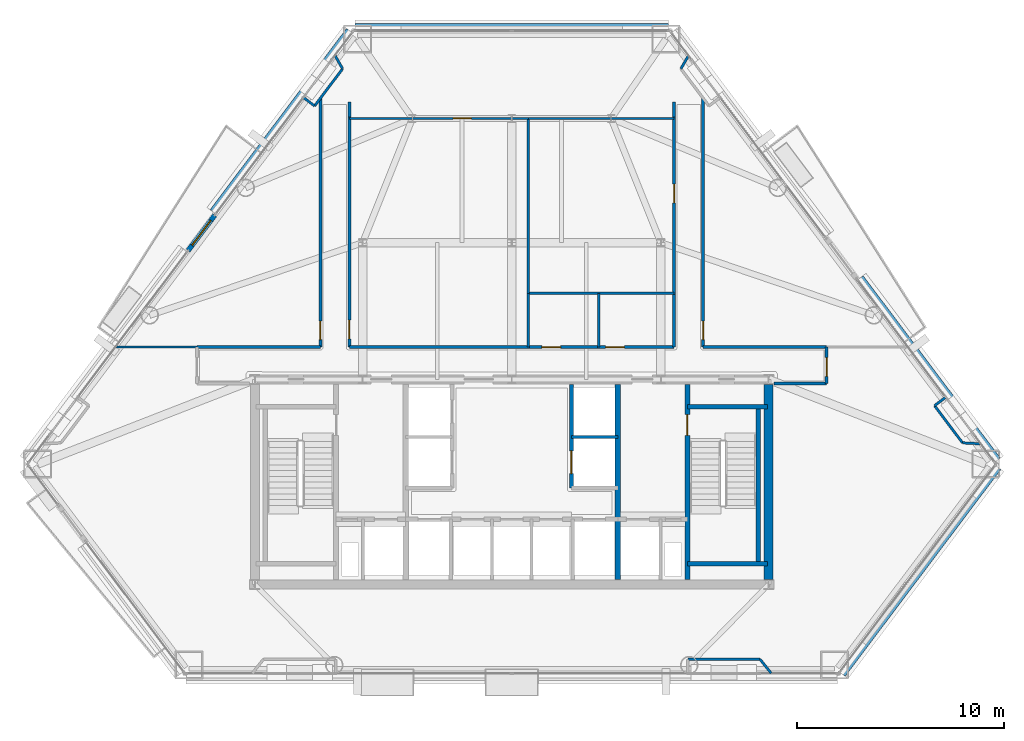
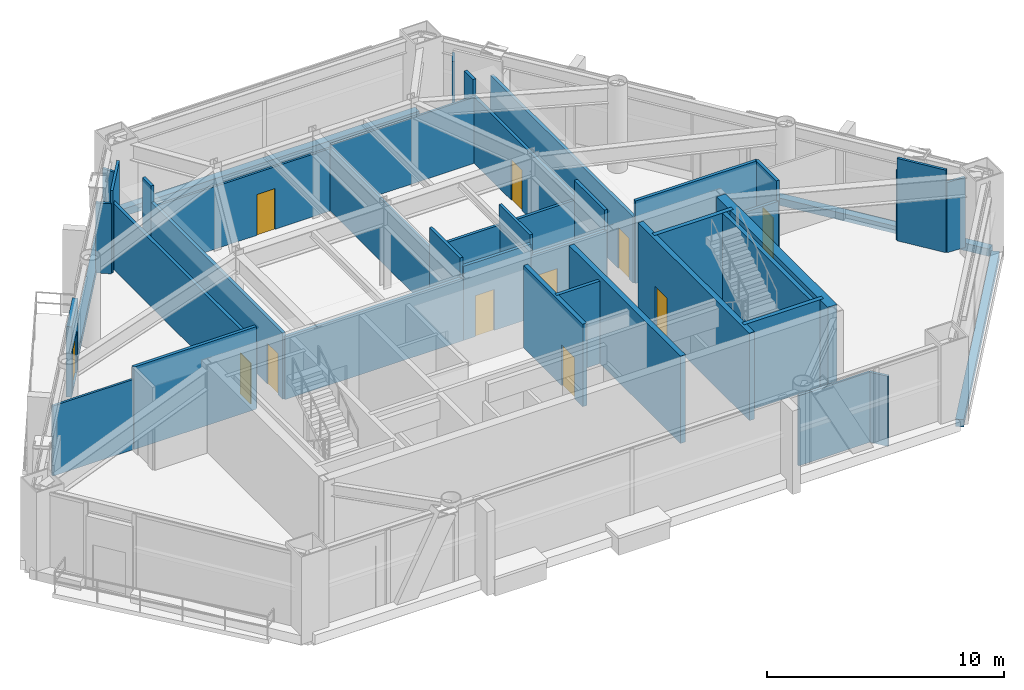
# One storey, part 7 of 10: 43 walls, 11 doors, 11 openings.
"""IFC4 building model written with IfcOpenShell, lengths in metres."""

from ifc_helpers import new_model, si_unit, direction, frame, frame_2d, origin, place, context, subcontext, project, spatial, rectangle, extrude, material, layer, layer_set, type_object, element, fill, save


model = new_model("IFC4")

# Units and contexts
model_context = context("Model", 3, precision=1e-05, world=origin(), true_north=direction((0.0, 1.0)))
body_context = subcontext(model_context, "Body", "Model", "MODEL_VIEW")
ifc_project = project(units=[si_unit("LENGTHUNIT", "METRE"), si_unit("AREAUNIT", "SQUARE_METRE"), si_unit("VOLUMEUNIT", "CUBIC_METRE"), si_unit("PLANEANGLEUNIT", "RADIAN"), si_unit("MASSUNIT", "GRAM", prefix="KILO")], contexts=[model_context])

# Site, building, storey
site_placement = place(None, origin())
site = spatial("IfcSite", under=ifc_project, at=site_placement, CompositionType="ELEMENT")
building_placement = place(site_placement, origin())
building = spatial("IfcBuilding", under=site, at=building_placement, Name="Talgorran Terracotta Tower", CompositionType="ELEMENT")
storey_placement = place(building_placement, frame((0.0, 0.0, 60.300048828125)))
storey = spatial("IfcBuildingStorey", under=building, at=storey_placement, Name="L15", CompositionType="ELEMENT", Elevation=60.300048828125)

# Wall, opening, door
ifc_material_1 = material(Name="Concrete C40/50", Category="concrete")
ifc_layer_1 = layer(ifc_material_1, 0.239990234375, Name="WT_BALCONY_SPAND")
ifc_layer_set_1 = layer_set([ifc_layer_1], Name="Concrete C40/50")
wall_type_1 = type_object("IfcWallType", Name="WT_BALCONY_SPAND", PredefinedType="STANDARD", material=ifc_layer_set_1)
wall_1_placement = place(storey_placement, frame((-14.339111328125, 3.73095703125, -0.01513671875), z_axis=(0.0, 0.0, 1.0), x_axis=(-0.601441023505, -0.798917201746, 0.0)))
wall_1 = element("IfcWall", 1, at=wall_1_placement, inside=storey, type_object=wall_type_1, Name="WL-L15-BALP-BAL-NW", PredefinedType="STANDARD", context=body_context, shape_type="SweptSolid", body=[
    extrude(rectangle(XDim=2.14013671875, YDim=0.239990234375, at=frame_2d((1.070068359375, 0.0))), origin(), (0.0, 0.0, 1.0), 3.62841796875),
])
opening_1_placement = place(wall_1_placement, frame((0.320068359375, 0.0, 0.014892578125)))
opening_1 = element("IfcOpeningElement", 2, at=opening_1_placement, cuts=wall_1, Name="Opening D-BAL-L15-2", PredefinedType="OPENING", context=body_context, shape_type="SweptSolid", body=[
    extrude(rectangle(XDim=1.506, YDim=2.203951171875, at=frame_2d((0.75, 1.10205078125))), frame((0.0, 0.1298828125, 0.0), z_axis=(0.0, -1.0, 0.0), x_axis=(1.0, 0.0, 0.0)), (0.0, 0.0, 1.0), 0.260009765625),
])
ifc_material_2 = material(Name="Thermally Broken Aluminium", Category="aluminium")
door_type_1 = type_object("IfcDoorType", Name="DT_BALC_1500", OperationType="SLIDING_TO_RIGHT", PredefinedType="DOOR", material=ifc_material_2)
door_1_placement = place(opening_1_placement, origin())
door_1 = element("IfcDoor", 3, at=door_1_placement, inside=storey, type_object=door_type_1, Name="DR-L15-BAL-BAL-NW", OperationType="SLIDING_TO_RIGHT", OverallHeight=2.199951171875, OverallWidth=1.5, PredefinedType="DOOR", context=body_context, shape_type="SweptSolid", body=[
    extrude(rectangle(XDim=1.5, YDim=2.199951171875, at=frame_2d((0.75, 1.10009765625))), frame((0.0, 0.02490234375, 0.0), z_axis=(0.0, -1.0, 0.0), x_axis=(1.0, 0.0, 0.0)), (0.0, 0.0, 1.0), 0.050048828125),
])
fill(opening_1, door_1)

# Walls
ifc_material_3 = material(Name="Concrete C50/60", Category="concrete")
ifc_layer_2 = layer(ifc_material_3, 0.199951171875, Name="WT_CORE_200")
ifc_layer_set_2 = layer_set([ifc_layer_2], Name="Concrete C50/60")
wall_type_2 = type_object("IfcWallType", Name="WT_CORE_200", PredefinedType="SOLIDWALL", material=ifc_layer_set_2)
for number, where, z_axis, x_axis, name in (
    (4, (8.47998046875, -5.52001953125, 0.0), (0.0, 0.0, 1.0), (1.0, 0.0, 0.0), "WL-L15-CW-ST2-N"),
    (5, (8.47998046875, -13.10009765625, 0.0), (0.0, 0.0, 1.0), (1.0, 0.0, 0.0), "WL-L15-CW-ST2-S"),
):
    element("IfcWall", number, at=place(storey_placement, frame(where, z_axis=z_axis, x_axis=x_axis)), inside=storey, type_object=wall_type_2, Name=name, PredefinedType="SOLIDWALL", context=body_context, shape_type="SweptSolid", body=[
        extrude(rectangle(XDim=3.8701171875, YDim=0.199951171875, at=frame_2d((1.93505859375, 0.0))), origin(), (0.0, 0.0, 1.0), 4.5),
    ])
wall_2_placement = place(storey_placement, frame((11.89990234375, -13.10009765625, 0.0), z_axis=(0.0, 0.0, 1.0), x_axis=(0.0, 1.0, 0.0)))
element("IfcWall", 6, at=wall_2_placement, inside=storey, type_object=wall_type_2, Name="WL-L15-CW-ST2-E", PredefinedType="SOLIDWALL", context=body_context, shape_type="SweptSolid", body=[
    extrude(rectangle(XDim=7.580078125, YDim=0.199951171875, at=frame_2d((3.7900390625, 0.0))), origin(), (0.0, 0.0, 1.0), 4.5),
])

# Wall, opening, door
wall_3_placement = place(storey_placement, frame((2.8798828125, -9.449951171875, 0.0), z_axis=(0.0, 0.0, 1.0), x_axis=(0.0, 1.0, 0.0)))
wall_3 = element("IfcWall", 7, at=wall_3_placement, inside=storey, type_object=wall_type_2, Name="WL-L15-CW-V-E3", PredefinedType="SOLIDWALL", context=body_context, shape_type="SweptSolid", body=[
    extrude(rectangle(XDim=5.0, YDim=0.199951171875, at=frame_2d((2.5, 0.0))), origin(), (0.0, 0.0, 1.0), 4.25),
])
opening_2_placement = place(wall_3_placement, frame((0.699951171875, 0.0, 0.0)))
opening_2 = element("IfcOpeningElement", 8, at=opening_2_placement, cuts=wall_3, Name="Opening LD-PLM1", PredefinedType="OPENING", context=body_context, shape_type="SweptSolid", body=[
    extrude(rectangle(XDim=1.10609765625, YDim=2.10409765625, at=frame_2d((0.550048828125, 1.052001953125))), frame((0.0, 0.10986328125, 0.0), z_axis=(0.0, -1.0, 0.0), x_axis=(1.0, 0.0, 0.0)), (0.0, 0.0, 1.0), 0.219970703125),
])
ifc_material_4 = material(Name="Brushed Stainless Steel Grade 304", Category="steel")
door_type_2 = type_object("IfcDoorType", Name="DT_LIFT_LD1100", OperationType="DOUBLE_DOOR_SLIDING", PredefinedType="DOOR", material=ifc_material_4)
door_2_placement = place(opening_2_placement, origin())
door_2 = element("IfcDoor", 9, at=door_2_placement, inside=storey, type_object=door_type_2, Name="L15 Lift Landing Door LD-PLM1", OperationType="DOUBLE_DOOR_SLIDING", OverallHeight=2.10009765625, OverallWidth=1.10009765625, PredefinedType="DOOR", context=body_context, shape_type="SweptSolid", body=[
    extrude(rectangle(XDim=1.10009765625, YDim=2.10009765625, at=frame_2d((0.550048828125, 1.050048828125))), frame((0.0, 0.02490234375, 0.0), z_axis=(0.0, -1.0, 0.0), x_axis=(1.0, 0.0, 0.0)), (0.0, 0.0, 1.0), 0.050048828125),
])
fill(opening_2, door_2)

ifc_layer_3 = layer(ifc_material_3, 0.25, Name="WT_CORE_250")
ifc_layer_set_3 = layer_set([ifc_layer_3], Name="Concrete C50/60")
wall_type_3 = type_object("IfcWallType", Name="WT_CORE_250", PredefinedType="SHEAR", material=ifc_layer_set_3)
wall_4_placement = place(storey_placement, frame((8.47998046875, -13.85009765625, 0.0), z_axis=(0.0, 0.0, 1.0), x_axis=(0.0, 1.0, 0.0)))
wall_4 = element("IfcWall", 10, at=wall_4_placement, inside=storey, type_object=wall_type_3, Name="WL-L15-CW-V-E1", PredefinedType="SHEAR", context=body_context, shape_type="SweptSolid", body=[
    extrude(rectangle(XDim=9.400146484375, YDim=0.25, at=frame_2d((4.7001953125, 0.0))), origin(), (0.0, 0.0, 1.0), 4.5),
])
opening_3_placement = place(wall_4_placement, frame((6.949951171875, 0.0, 0.0)))
opening_3 = element("IfcOpeningElement", 11, at=opening_3_placement, cuts=wall_4, Name="Opening DR-ST02", PredefinedType="OPENING", context=body_context, shape_type="SweptSolid", body=[
    extrude(rectangle(XDim=1.006, YDim=2.10409765625, at=frame_2d((0.5, 1.052001953125))), frame((0.0, 0.135009765625, 0.0), z_axis=(0.0, -1.0, 0.0), x_axis=(1.0, 0.0, 0.0)), (0.0, 0.0, 1.0), 0.27001953125),
])
ifc_material_5 = material(Name="Fire-Rated Pressed Steel", Category="steel")
door_type_3 = type_object("IfcDoorType", Name="DT_FIRE_1000", OperationType="NOTDEFINED", PredefinedType="DOOR", material=ifc_material_5)
door_3_placement = place(opening_3_placement, origin())
door_3 = element("IfcDoor", 12, at=door_3_placement, inside=storey, type_object=door_type_3, Name="DR-ST02", OperationType="SINGLE_SWING_RIGHT", OverallHeight=2.10009765625, OverallWidth=1.0, PredefinedType="DOOR", context=body_context, shape_type="SweptSolid", body=[
    extrude(rectangle(XDim=1.0, YDim=2.10009765625, at=frame_2d((0.5, 1.050048828125))), frame((0.0, 0.02490234375, 0.0), z_axis=(0.0, -1.0, 0.0), x_axis=(1.0, 0.0, 0.0)), (0.0, 0.0, 1.0), 0.050048828125),
])
fill(opening_3, door_3)

# Walls
wall_5_placement = place(storey_placement, frame((5.1201171875, -13.85009765625, 0.0), z_axis=(0.0, 0.0, 1.0), x_axis=(0.0, 1.0, 0.0)))
element("IfcWall", 13, at=wall_5_placement, inside=storey, type_object=wall_type_3, Name="WL-L15-CW-V-E2", PredefinedType="SHEAR", context=body_context, shape_type="SweptSolid", body=[
    extrude(rectangle(XDim=9.400146484375, YDim=0.25, at=frame_2d((4.7001953125, 0.0))), origin(), (0.0, 0.0, 1.0), 4.5),
])
ifc_material_6 = material(Name="Concrete C65/80", Category="concrete")
ifc_layer_4 = layer(ifc_material_6, 0.449951171875, Name="WT_CORE_EXT")
ifc_layer_set_4 = layer_set([ifc_layer_4], Name="Concrete C65/80")
wall_type_4 = type_object("IfcWallType", Name="WT_CORE_EXT", PredefinedType="SHEAR", material=ifc_layer_set_4)
wall_6_placement = place(storey_placement, frame((12.39990234375, -13.85009765625, 0.0), z_axis=(0.0, 0.0, 1.0), x_axis=(0.0, 1.0, 0.0)))
element("IfcWall", 14, at=wall_6_placement, inside=storey, type_object=wall_type_4, Name="WL-L15-CW-OUT-E", PredefinedType="SHEAR", context=body_context, shape_type="SweptSolid", body=[
    extrude(rectangle(XDim=9.400146484375, YDim=0.449951171875, at=frame_2d((4.7001953125, 0.0))), origin(), (0.0, 0.0, 1.0), 4.5),
])

# Wall, opening, door
ifc_material_7 = material(Name="Fire-Rated Steel Stud Plasterboard", Category="steel")
ifc_layer_5 = layer(ifc_material_7, 0.14990234375, Name="WT_FIRE_150")
ifc_layer_set_5 = layer_set([ifc_layer_5], Name="Fire-Rated Steel Stud Plasterboard")
wall_type_5 = type_object("IfcWallType", Name="WT_FIRE_150", PredefinedType="PARTITIONING", material=ifc_layer_set_5)
wall_7_placement = place(storey_placement, frame((-9.239990234375, -2.639892578125, 0.0), z_axis=(0.0, 0.0, 1.0), x_axis=(0.0, 1.0, 0.0)))
wall_7 = element("IfcWall", 15, at=wall_7_placement, inside=storey, type_object=wall_type_5, Name="WL-L15-W-L15-R09", PredefinedType="PARTITIONING", context=body_context, shape_type="SweptSolid", body=[
    extrude(rectangle(XDim=12.059814453125, YDim=0.14990234375, at=frame_2d((6.02978515625, 0.0))), origin(), (0.0, 0.0, 1.0), 3.408935546875),
])
opening_4_placement = place(wall_7_placement, frame((0.359619140625, 0.0, 0.0)))
opening_4 = element("IfcOpeningElement", 16, at=opening_4_placement, cuts=wall_7, Name="Opening DR-L15-R05", PredefinedType="OPENING", context=body_context, shape_type="SweptSolid", body=[
    extrude(rectangle(XDim=0.90590234375, YDim=2.10409765625, at=frame_2d((0.449951171875, 1.052001953125))), frame((0.0, 0.0849609375, 0.0), z_axis=(0.0, -1.0, 0.0), x_axis=(1.0, 0.0, 0.0)), (0.0, 0.0, 1.0), 0.169921875),
])
ifc_material_8 = material(Name="Fire-Rated Timber Core", Category="wood")
door_type_4 = type_object("IfcDoorType", Name="DT_FIRE_900", OperationType="NOTDEFINED", PredefinedType="DOOR", material=ifc_material_8)
door_4_placement = place(opening_4_placement, origin())
door_4 = element("IfcDoor", 17, at=door_4_placement, inside=storey, type_object=door_type_4, Name="DR-L15-R05", OperationType="SINGLE_SWING_LEFT", OverallHeight=2.10009765625, OverallWidth=0.89990234375, PredefinedType="DOOR", context=body_context, shape_type="SweptSolid", body=[
    extrude(rectangle(XDim=0.89990234375, YDim=2.10009765625, at=frame_2d((0.449951171875, 1.050048828125))), frame((0.0, 0.02490234375, 0.0), z_axis=(0.0, -1.0, 0.0), x_axis=(1.0, 0.0, 0.0)), (0.0, 0.0, 1.0), 0.050048828125),
])
fill(opening_4, door_4)

wall_8_placement = place(storey_placement, frame((9.239990234375, -2.639892578125, 0.0), z_axis=(0.0, 0.0, 1.0), x_axis=(0.0, 1.0, 0.0)))
wall_8 = element("IfcWall", 18, at=wall_8_placement, inside=storey, type_object=wall_type_5, Name="WL-L15-W-L15-R15", PredefinedType="PARTITIONING", context=body_context, shape_type="SweptSolid", body=[
    extrude(rectangle(XDim=12.059814453125, YDim=0.14990234375, at=frame_2d((6.02978515625, 0.0))), origin(), (0.0, 0.0, 1.0), 3.408935546875),
])
opening_5_placement = place(wall_8_placement, frame((0.359619140625, 0.0, 0.0)))
opening_5 = element("IfcOpeningElement", 19, at=opening_5_placement, cuts=wall_8, Name="Opening DR-L15-R09", PredefinedType="OPENING", context=body_context, shape_type="SweptSolid", body=[
    extrude(rectangle(XDim=0.90590234375, YDim=2.10409765625, at=frame_2d((0.449951171875, 1.052001953125))), frame((0.0, 0.0849609375, 0.0), z_axis=(0.0, -1.0, 0.0), x_axis=(1.0, 0.0, 0.0)), (0.0, 0.0, 1.0), 0.169921875),
])
door_5_placement = place(opening_5_placement, origin())
door_5 = element("IfcDoor", 20, at=door_5_placement, inside=storey, type_object=door_type_4, Name="DR-L15-R09", OperationType="SINGLE_SWING_LEFT", OverallHeight=2.10009765625, OverallWidth=0.89990234375, PredefinedType="DOOR", context=body_context, shape_type="SweptSolid", body=[
    extrude(rectangle(XDim=0.89990234375, YDim=2.10009765625, at=frame_2d((0.449951171875, 1.050048828125))), frame((0.0, 0.02490234375, 0.0), z_axis=(0.0, -1.0, 0.0), x_axis=(1.0, 0.0, 0.0)), (0.0, 0.0, 1.0), 0.050048828125),
])
fill(opening_5, door_5)

wall_9_placement = place(storey_placement, frame((-7.840087890625, -2.639892578125, 0.0), z_axis=(0.0, 0.0, 1.0), x_axis=(0.0, 1.0, 0.0)))
wall_9 = element("IfcWall", 21, at=wall_9_placement, inside=storey, type_object=wall_type_5, Name="WL-L15-W-L15-R10", PredefinedType="PARTITIONING", context=body_context, shape_type="SweptSolid", body=[
    extrude(rectangle(XDim=11.099853515625, YDim=0.14990234375, at=frame_2d((5.5498046875, 0.0))), origin(), (0.0, 0.0, 1.0), 3.408935546875),
])
opening_6_placement = place(wall_9_placement, frame((0.39892578125, 0.0, 0.0)))
opening_6 = element("IfcOpeningElement", 22, at=opening_6_placement, cuts=wall_9, Name="Opening DR-L15-R06", PredefinedType="OPENING", context=body_context, shape_type="SweptSolid", body=[
    extrude(rectangle(XDim=0.90590234375, YDim=2.10409765625, at=frame_2d((0.449951171875, 1.052001953125))), frame((0.0, 0.0849609375, 0.0), z_axis=(0.0, -1.0, 0.0), x_axis=(1.0, 0.0, 0.0)), (0.0, 0.0, 1.0), 0.169921875),
])
door_6_placement = place(opening_6_placement, origin())
door_6 = element("IfcDoor", 23, at=door_6_placement, inside=storey, type_object=door_type_4, Name="DR-L15-R06", OperationType="SINGLE_SWING_RIGHT", OverallHeight=2.10009765625, OverallWidth=0.89990234375, PredefinedType="DOOR", context=body_context, shape_type="SweptSolid", body=[
    extrude(rectangle(XDim=0.89990234375, YDim=2.10009765625, at=frame_2d((0.449951171875, 1.050048828125))), frame((0.0, 0.02490234375, 0.0), z_axis=(0.0, -1.0, 0.0), x_axis=(1.0, 0.0, 0.0)), (0.0, 0.0, 1.0), 0.050048828125),
])
fill(opening_6, door_6)

# Wall
wall_10_placement = place(storey_placement, frame((-7.840087890625, -2.639892578125, 0.0), z_axis=(0.0, 0.0, 1.0), x_axis=(1.0, 0.0, 0.0)))
element("IfcWall", 24, at=wall_10_placement, inside=storey, type_object=wall_type_5, Name="WL-L15-W-L15-R11", PredefinedType="PARTITIONING", context=body_context, shape_type="SweptSolid", body=[
    extrude(rectangle(XDim=8.7001953125, YDim=0.14990234375, at=frame_2d((4.35009765625, 0.0))), origin(), (0.0, 0.0, 1.0), 3.224853515625),
])

# Wall, opening, door
wall_11_placement = place(storey_placement, frame((7.840087890625, -0.10009765625, 0.0), z_axis=(0.0, 0.0, 1.0), x_axis=(0.0, 1.0, 0.0)))
wall_11 = element("IfcWall", 25, at=wall_11_placement, inside=storey, type_object=wall_type_5, Name="WL-L15-W-L15-R12", PredefinedType="PARTITIONING", context=body_context, shape_type="SweptSolid", body=[
    extrude(rectangle(XDim=8.56005859375, YDim=0.14990234375, at=frame_2d((4.280029296875, 0.0))), origin(), (0.0, 0.0, 1.0), 3.408935546875),
])
opening_7_placement = place(wall_11_placement, frame((4.428466796875, 0.0, 0.0)))
opening_7 = element("IfcOpeningElement", 26, at=opening_7_placement, cuts=wall_11, Name="Opening DR-L15-R07", PredefinedType="OPENING", context=body_context, shape_type="SweptSolid", body=[
    extrude(rectangle(XDim=0.90590234375, YDim=2.10409765625, at=frame_2d((0.449951171875, 1.052001953125))), frame((0.0, 0.0849609375, 0.0), z_axis=(0.0, -1.0, 0.0), x_axis=(1.0, 0.0, 0.0)), (0.0, 0.0, 1.0), 0.169921875),
])
door_7_placement = place(opening_7_placement, origin())
door_7 = element("IfcDoor", 27, at=door_7_placement, inside=storey, type_object=door_type_4, Name="DR-L15-R07", OperationType="SINGLE_SWING_LEFT", OverallHeight=2.10009765625, OverallWidth=0.89990234375, PredefinedType="DOOR", context=body_context, shape_type="SweptSolid", body=[
    extrude(rectangle(XDim=0.89990234375, YDim=2.10009765625, at=frame_2d((0.449951171875, 1.050048828125))), frame((0.0, 0.02490234375, 0.0), z_axis=(0.0, -1.0, 0.0), x_axis=(1.0, 0.0, 0.0)), (0.0, 0.0, 1.0), 0.050048828125),
])
fill(opening_7, door_7)

# Walls
for number, where, z_axis, x_axis, name in (
    (28, (-15.199951171875, -2.639892578125, 0.0), (0.0, 0.0, 1.0), (1.0, 0.0, 0.0), "WL-L15-W-L15-R08"),
    (29, (9.239990234375, -2.639892578125, 0.0), (0.0, 0.0, 1.0), (1.0, 0.0, 0.0), "WL-L15-W-L15-R16"),
):
    element("IfcWall", number, at=place(storey_placement, frame(where, z_axis=z_axis, x_axis=x_axis)), inside=storey, type_object=wall_type_5, Name=name, PredefinedType="PARTITIONING", context=body_context, shape_type="SweptSolid", body=[
        extrude(rectangle(XDim=5.9599609375, YDim=0.14990234375, at=frame_2d((2.97998046875, 0.0))), origin(), (0.0, 0.0, 1.0), 4.25),
    ])

# Wall, opening, door
wall_12_placement = place(storey_placement, frame((4.139892578125, -2.639892578125, 0.0), z_axis=(0.0, 0.0, 1.0), x_axis=(1.0, 0.0, 0.0)))
wall_12 = element("IfcWall", 30, at=wall_12_placement, inside=storey, type_object=wall_type_5, Name="WL-L15-W-L15-R05", PredefinedType="PARTITIONING", context=body_context, shape_type="SweptSolid", body=[
    extrude(rectangle(XDim=3.7001953125, YDim=0.14990234375, at=frame_2d((1.85009765625, 0.0))), origin(), (0.0, 0.0, 1.0), 3.224853515625),
])
opening_8_placement = place(wall_12_placement, frame((0.395751953125, 0.0, 0.0)))
opening_8 = element("IfcOpeningElement", 31, at=opening_8_placement, cuts=wall_12, Name="Opening DR-L15-R03", PredefinedType="OPENING", context=body_context, shape_type="SweptSolid", body=[
    extrude(rectangle(XDim=0.90590234375, YDim=2.10409765625, at=frame_2d((0.449951171875, 1.052001953125))), frame((0.0, 0.0849609375, 0.0), z_axis=(0.0, -1.0, 0.0), x_axis=(1.0, 0.0, 0.0)), (0.0, 0.0, 1.0), 0.169921875),
])
door_8_placement = place(opening_8_placement, origin())
door_8 = element("IfcDoor", 32, at=door_8_placement, inside=storey, type_object=door_type_4, Name="DR-L15-R03", OperationType="SINGLE_SWING_LEFT", OverallHeight=2.10009765625, OverallWidth=0.89990234375, PredefinedType="DOOR", context=body_context, shape_type="SweptSolid", body=[
    extrude(rectangle(XDim=0.89990234375, YDim=2.10009765625, at=frame_2d((0.449951171875, 1.050048828125))), frame((0.0, 0.02490234375, 0.0), z_axis=(0.0, -1.0, 0.0), x_axis=(1.0, 0.0, 0.0)), (0.0, 0.0, 1.0), 0.050048828125),
])
fill(opening_8, door_8)

wall_13_placement = place(storey_placement, frame((0.862060546875, -2.639892578125, 0.0), z_axis=(0.0, 0.0, 1.0), x_axis=(1.0, 0.0, 0.0)))
wall_13 = element("IfcWall", 33, at=wall_13_placement, inside=storey, type_object=wall_type_5, Name="WL-L15-W-L15-R07", PredefinedType="PARTITIONING", context=body_context, shape_type="SweptSolid", body=[
    extrude(rectangle(XDim=3.27587890625, YDim=0.14990234375, at=frame_2d((1.637939453125, 0.0))), origin(), (0.0, 0.0, 1.0), 3.818603515625),
])
opening_9_placement = place(wall_13_placement, frame((0.593017578125, 0.0, 0.0)))
opening_9 = element("IfcOpeningElement", 34, at=opening_9_placement, cuts=wall_13, Name="Opening DR-L15-R04", PredefinedType="OPENING", context=body_context, shape_type="SweptSolid", body=[
    extrude(rectangle(XDim=0.90590234375, YDim=2.10409765625, at=frame_2d((0.449951171875, 1.052001953125))), frame((0.0, 0.0849609375, 0.0), z_axis=(0.0, -1.0, 0.0), x_axis=(1.0, 0.0, 0.0)), (0.0, 0.0, 1.0), 0.169921875),
])
door_9_placement = place(opening_9_placement, origin())
door_9 = element("IfcDoor", 35, at=door_9_placement, inside=storey, type_object=door_type_4, Name="DR-L15-R04", OperationType="SINGLE_SWING_RIGHT", OverallHeight=2.10009765625, OverallWidth=0.89990234375, PredefinedType="DOOR", context=body_context, shape_type="SweptSolid", body=[
    extrude(rectangle(XDim=0.89990234375, YDim=2.10009765625, at=frame_2d((0.449951171875, 1.050048828125))), frame((0.0, 0.02490234375, 0.0), z_axis=(0.0, -1.0, 0.0), x_axis=(1.0, 0.0, 0.0)), (0.0, 0.0, 1.0), 0.050048828125),
])
fill(opening_9, door_9)

# Walls
wall_14_placement = place(storey_placement, frame((12.652099609375, -4.39990234375, 0.0), z_axis=(0.0, 0.0, 1.0), x_axis=(1.0, 0.0, 0.0)))
element("IfcWall", 36, at=wall_14_placement, inside=storey, type_object=wall_type_5, Name="WL-L15-W-L15-R03", PredefinedType="PARTITIONING", context=body_context, shape_type="SweptSolid", body=[
    extrude(rectangle(XDim=2.5478515625, YDim=0.14990234375, at=frame_2d((1.27392578125, 0.0))), origin(), (0.0, 0.0, 1.0), 3.224853515625),
])
wall_15_placement = place(storey_placement, frame((7.840087890625, -2.639892578125, 0.0), z_axis=(0.0, 0.0, 1.0), x_axis=(0.0, 1.0, 0.0)))
element("IfcWall", 37, at=wall_15_placement, inside=storey, type_object=wall_type_5, Name="WL-L15-W-L15-R06", PredefinedType="PARTITIONING", context=body_context, shape_type="SweptSolid", body=[
    extrude(rectangle(XDim=2.537841796875, YDim=0.14990234375, at=frame_2d((1.26904296875, 0.0))), origin(), (0.0, 0.0, 1.0), 4.25),
])

# Wall, opening, door
wall_16_placement = place(storey_placement, frame((15.199951171875, -4.39990234375, 0.0), z_axis=(0.0, 0.0, 1.0), x_axis=(0.0, 1.0, 0.0)))
wall_16 = element("IfcWall", 38, at=wall_16_placement, inside=storey, type_object=wall_type_5, Name="WL-L15-W-L15-R04", PredefinedType="PARTITIONING", context=body_context, shape_type="SweptSolid", body=[
    extrude(rectangle(XDim=1.760009765625, YDim=0.14990234375, at=frame_2d((0.8798828125, 0.0))), origin(), (0.0, 0.0, 1.0), 4.25),
])
opening_10_placement = place(wall_16_placement, frame((0.3525390625, 0.0, 0.0)))
opening_10 = element("IfcOpeningElement", 39, at=opening_10_placement, cuts=wall_16, Name="Opening DR-L15-R02", PredefinedType="OPENING", context=body_context, shape_type="SweptSolid", body=[
    extrude(rectangle(XDim=0.90590234375, YDim=2.10409765625, at=frame_2d((0.449951171875, 1.052001953125))), frame((0.0, 0.0849609375, 0.0), z_axis=(0.0, -1.0, 0.0), x_axis=(1.0, 0.0, 0.0)), (0.0, 0.0, 1.0), 0.169921875),
])
door_10_placement = place(opening_10_placement, origin())
door_10 = element("IfcDoor", 40, at=door_10_placement, inside=storey, type_object=door_type_4, Name="DR-L15-R02", OperationType="SINGLE_SWING_RIGHT", OverallHeight=2.10009765625, OverallWidth=0.89990234375, PredefinedType="DOOR", context=body_context, shape_type="SweptSolid", body=[
    extrude(rectangle(XDim=0.89990234375, YDim=2.10009765625, at=frame_2d((0.449951171875, 1.050048828125))), frame((0.0, 0.02490234375, 0.0), z_axis=(0.0, -1.0, 0.0), x_axis=(1.0, 0.0, 0.0)), (0.0, 0.0, 1.0), 0.050048828125),
])
fill(opening_10, door_10)

# Walls
for number, where, z_axis, x_axis, name in (
    (41, (-7.840087890625, 8.4619140625, 0.0), (0.0, 0.0, 1.0), (0.0, 1.0, 0.0), "WL-L15-W-L15-R13"),
    (42, (7.840087890625, 8.4619140625, 0.0), (0.0, 0.0, 1.0), (0.0, 1.0, 0.0), "WL-L15-W-L15-R14"),
):
    element("IfcWall", number, at=place(storey_placement, frame(where, z_axis=z_axis, x_axis=x_axis)), inside=storey, type_object=wall_type_5, Name=name, PredefinedType="PARTITIONING", context=body_context, shape_type="SweptSolid", body=[
        extrude(rectangle(XDim=0.738037109375, YDim=0.14990234375, at=frame_2d((0.369140625, 0.0))), origin(), (0.0, 0.0, 1.0), 4.25),
    ])
ifc_layer_6 = layer(ifc_material_1, 0.219970703125, Name="WT_PARAPET_RC")
ifc_layer_set_6 = layer_set([ifc_layer_6], Name="Concrete C40/50")
wall_type_6 = type_object("IfcWallType", Name="WT_PARAPET_RC", PredefinedType="PARAPET", material=ifc_layer_set_6)
wall_17_placement = place(storey_placement, frame((15.955078125, -18.42333984375, -0.199951171875), z_axis=(0.0, 0.0, 1.0), x_axis=(0.601450438874, 0.798910113579, 0.0)))
element("IfcWall", 43, at=wall_17_placement, inside=storey, type_object=wall_type_6, Name="L15 Striped Portal Precast Cornice F2", PredefinedType="PARAPET", context=body_context, shape_type="SweptSolid", body=[
    extrude(rectangle(XDim=12.48779296875, YDim=0.360107421875, at=frame_2d((6.243896484375, 0.0))), origin(), (0.0, 0.0, 1.0), 0.3798828125),
])
wall_18_placement = place(storey_placement, frame((23.441650390625, -8.094482421875, -0.199951171875), z_axis=(0.0, 0.0, 1.0), x_axis=(-0.601441347289, 0.798916957994, 0.0)))
element("IfcWall", 44, at=wall_18_placement, inside=storey, type_object=wall_type_6, Name="L15 Striped Portal Precast Cornice F40", PredefinedType="PARAPET", context=body_context, shape_type="SweptSolid", body=[
    extrude(rectangle(XDim=10.99560546875, YDim=0.360107421875, at=frame_2d((5.497802734375, 0.0))), origin(), (0.0, 0.0, 1.0), 0.3798828125),
])
wall_19_placement = place(storey_placement, frame((7.55712890625, 12.793212890625, -0.199951171875), z_axis=(0.0, 0.0, 1.0), x_axis=(-1.0, 0.0, 0.0)))
element("IfcWall", 45, at=wall_19_placement, inside=storey, type_object=wall_type_6, Name="L15 Striped Portal Precast Cornice F4", PredefinedType="PARAPET", context=body_context, shape_type="SweptSolid", body=[
    extrude(rectangle(XDim=15.1142578125, YDim=0.360107421875, at=frame_2d((7.55712890625, 0.0))), origin(), (0.0, 0.0, 1.0), 0.3798828125),
])
wall_20_placement = place(storey_placement, frame((-7.837158203125, 12.633544921875, -0.199951171875), z_axis=(0.0, 0.0, 1.0), x_axis=(-0.601431773183, -0.798924165491, 0.0)))
element("IfcWall", 46, at=wall_20_placement, inside=storey, type_object=wall_type_6, Name="L15 Striped Portal Precast Cornice F60", PredefinedType="PARAPET", context=body_context, shape_type="SweptSolid", body=[
    extrude(rectangle(XDim=10.932861328125, YDim=0.360107421875, at=frame_2d((5.46630859375, 0.0))), origin(), (0.0, 0.0, 1.0), 0.3798828125),
])

# Wall, opening, door
ifc_material_9 = material(Name="Lightweight Steel Stud Partition", Category="steel")
ifc_layer_7 = layer(ifc_material_9, 0.10498046875, Name="WT_PART_110")
ifc_layer_set_7 = layer_set([ifc_layer_7], Name="Lightweight Steel Stud Partition")
wall_type_7 = type_object("IfcWallType", Name="WT_PART_110", PredefinedType="PARTITIONING", material=ifc_layer_set_7)
wall_21_placement = place(storey_placement, frame((-7.840087890625, 8.39990234375, 0.0), z_axis=(0.0, 0.0, 1.0), x_axis=(1.0, 0.0, 0.0)))
wall_21 = element("IfcWall", 47, at=wall_21_placement, inside=storey, type_object=wall_type_7, Name="WL-L15-W-L15-R24", PredefinedType="PARTITIONING", context=body_context, shape_type="SweptSolid", body=[
    extrude(rectangle(XDim=8.64013671875, YDim=0.10498046875, at=frame_2d((4.320068359375, 0.0))), origin(), (0.0, 0.0, 1.0), 3.224853515625),
])
opening_11_placement = place(wall_21_placement, frame((5.013916015625, 0.0, 0.0)))
opening_11 = element("IfcOpeningElement", 48, at=opening_11_placement, cuts=wall_21, Name="Opening DR-L15-R08", PredefinedType="OPENING", context=body_context, shape_type="SweptSolid", body=[
    extrude(rectangle(XDim=0.8858828125, YDim=2.10409765625, at=frame_2d((0.43994140625, 1.052001953125))), frame((0.0, 0.0625, 0.0), z_axis=(0.0, -1.0, 0.0), x_axis=(1.0, 0.0, 0.0)), (0.0, 0.0, 1.0), 0.125),
])
ifc_material_10 = material(Name="Solid-Core Painted Timber", Category="wood")
door_type_5 = type_object("IfcDoorType", Name="DT_INT_880", OperationType="NOTDEFINED", PredefinedType="DOOR", material=ifc_material_10)
door_11_placement = place(opening_11_placement, origin())
door_11 = element("IfcDoor", 49, at=door_11_placement, inside=storey, type_object=door_type_5, Name="DR-L15-R08", OperationType="SINGLE_SWING_RIGHT", OverallHeight=2.10009765625, OverallWidth=0.8798828125, PredefinedType="DOOR", context=body_context, shape_type="SweptSolid", body=[
    extrude(rectangle(XDim=0.8798828125, YDim=2.10009765625, at=frame_2d((0.43994140625, 1.050048828125))), frame((0.0, 0.02490234375, 0.0), z_axis=(0.0, -1.0, 0.0), x_axis=(1.0, 0.0, 0.0)), (0.0, 0.0, 1.0), 0.050048828125),
])
fill(opening_11, door_11)

# Walls
wall_22_placement = place(storey_placement, frame((0.800048828125, -0.10009765625, 0.0), z_axis=(0.0, 0.0, 1.0), x_axis=(0.0, 1.0, 0.0)))
element("IfcWall", 50, at=wall_22_placement, inside=storey, type_object=wall_type_7, Name="WL-L15-W-L15-R23", PredefinedType="PARTITIONING", context=body_context, shape_type="SweptSolid", body=[
    extrude(rectangle(XDim=8.5, YDim=0.10498046875, at=frame_2d((4.25, 0.0))), origin(), (0.0, 0.0, 1.0), 3.224853515625),
])
wall_23_placement = place(storey_placement, frame((0.800048828125, 8.39990234375, 0.0), z_axis=(0.0, 0.0, 1.0), x_axis=(1.0, 0.0, 0.0)))
element("IfcWall", 51, at=wall_23_placement, inside=storey, type_object=wall_type_7, Name="WL-L15-W-L15-R25", PredefinedType="PARTITIONING", context=body_context, shape_type="SweptSolid", body=[
    extrude(rectangle(XDim=7.0400390625, YDim=0.10498046875, at=frame_2d((3.52001953125, 0.0))), origin(), (0.0, 0.0, 1.0), 3.408935546875),
])
wall_24_placement = place(storey_placement, frame((-19.13525390625, -2.639892578125, 0.0), z_axis=(0.0, 0.0, 1.0), x_axis=(1.0, 0.0, 0.0)))
element("IfcWall", 52, at=wall_24_placement, inside=storey, type_object=wall_type_7, Name="WL-L15-W-L15-R17", PredefinedType="PARTITIONING", context=body_context, shape_type="SweptSolid", body=[
    extrude(rectangle(XDim=3.935302734375, YDim=0.10498046875, at=frame_2d((1.9677734375, 0.0))), origin(), (0.0, 0.0, 1.0), 3.61328125),
])
ifc_material_11 = material(Name="Insulated Steel Stud Plasterboard", Category="steel")
ifc_layer_8 = layer(ifc_material_11, 0.1201171875, Name="WT_PART_120")
ifc_layer_set_8 = layer_set([ifc_layer_8], Name="Insulated Steel Stud Plasterboard")
wall_type_8 = type_object("IfcWallType", Name="WT_PART_120", PredefinedType="PARTITIONING", material=ifc_layer_set_8)
wall_25_placement = place(storey_placement, frame((8.500244140625, -17.711181640625, 0.0), z_axis=(0.0, 0.0, 1.0), x_axis=(1.0, 0.0, 0.0)))
element("IfcWall", 53, at=wall_25_placement, inside=storey, type_object=wall_type_8, Name="WL-L15-BW-L15-06", PredefinedType="PARTITIONING", context=body_context, shape_type="SweptSolid", body=[
    extrude(rectangle(XDim=3.486328125, YDim=0.1201171875, at=frame_2d((1.7431640625, 0.0))), origin(), (0.0, 0.0, 1.0), 3.61328125),
])
for number, where, z_axis, x_axis, name in (
    (54, (21.763427734375, -7.26171875, 0.0), (0.0, 0.0, 1.0), (-0.601459454583, 0.798903326124, 0.0), "WL-L15-BW-L15-12"),
    (55, (-8.167236328125, 10.798583984375, 0.0), (0.0, 0.0, 1.0), (-0.601459454583, -0.798903326124, 0.0), "WL-L15-BW-L15-14"),
):
    element("IfcWall", number, at=place(storey_placement, frame(where, z_axis=z_axis, x_axis=x_axis)), inside=storey, type_object=wall_type_8, Name=name, PredefinedType="PARTITIONING", context=body_context, shape_type="SweptSolid", body=[
        extrude(rectangle(XDim=2.246826171875, YDim=0.1201171875, at=frame_2d((1.12353515625, 0.0))), origin(), (0.0, 0.0, 1.0), 4.25),
    ])
wall_26_placement = place(storey_placement, frame((22.63623046875, -7.3076171875, 0.0), z_axis=(0.0, 0.0, 1.0), x_axis=(-0.998620143289, 0.052514849493, 0.0)))
element("IfcWall", 56, at=wall_26_placement, inside=storey, type_object=wall_type_8, Name="WL-L15-BW-L15-11", PredefinedType="PARTITIONING", context=body_context, shape_type="SweptSolid", body=[
    extrude(rectangle(XDim=0.8740234375, YDim=0.1201171875, at=frame_2d((0.43701171875, 0.0))), origin(), (0.0, 0.0, 1.0), 3.61328125),
])
wall_27_placement = place(storey_placement, frame((11.986572265625, -17.711181640625, 0.0), z_axis=(0.0, 0.0, 1.0), x_axis=(0.625699909671, -0.780063858308, 0.0)))
element("IfcWall", 57, at=wall_27_placement, inside=storey, type_object=wall_type_8, Name="WL-L15-BW-L15-04", PredefinedType="PARTITIONING", context=body_context, shape_type="SweptSolid", body=[
    extrude(rectangle(XDim=0.85888671875, YDim=0.1201171875, at=frame_2d((0.429443359375, 0.0))), origin(), (0.0, 0.0, 1.0), 3.61328125),
])
for number, where, z_axis, x_axis, name in (
    (58, (-8.528564453125, 11.4326171875, 0.0), (0.0, 0.0, 1.0), (0.495129815079, -0.868819006595, 0.0), "WL-L15-BW-L15-13"),
    (59, (8.167236328125, 10.798583984375, 0.0), (0.0, 0.0, 1.0), (0.495129815079, 0.868819006595, 0.0), "WL-L15-BW-L15-18"),
):
    element("IfcWall", number, at=place(storey_placement, frame(where, z_axis=z_axis, x_axis=x_axis)), inside=storey, type_object=wall_type_8, Name=name, PredefinedType="PARTITIONING", context=body_context, shape_type="SweptSolid", body=[
        extrude(rectangle(XDim=0.729736328125, YDim=0.1201171875, at=frame_2d((0.36474609375, 0.0))), origin(), (0.0, 0.0, 1.0), 3.61328125),
    ])
for number, where, z_axis, x_axis, name in (
    (60, (-9.5185546875, 9.003662109375, 0.0), (0.0, 0.0, 1.0), (-0.799080830747, 0.601223607265, 0.0), "WL-L15-BW-L15-15"),
    (61, (20.412109375, -5.466796875, 0.0), (0.0, 0.0, 1.0), (0.798773936271, 0.601631281379, 0.0), "WL-L15-BW-L15-10"),
):
    element("IfcWall", number, at=place(storey_placement, frame(where, z_axis=z_axis, x_axis=x_axis)), inside=storey, type_object=wall_type_8, Name=name, PredefinedType="PARTITIONING", context=body_context, shape_type="SweptSolid", body=[
        extrude(rectangle(XDim=0.669921875, YDim=0.1201171875, at=frame_2d((0.3349609375, 0.0))), origin(), (0.0, 0.0, 1.0), 3.61328125),
    ])
ifc_material_12 = material(Name="Moisture-Resistant Stud Wall")
ifc_layer_9 = layer(ifc_material_12, 0.135009765625, Name="WT_PART_135")
ifc_layer_set_9 = layer_set([ifc_layer_9], Name="Moisture-Resistant Stud Wall")
wall_type_9 = type_object("IfcWallType", Name="WT_PART_135", PredefinedType="PARTITIONING", material=ifc_layer_set_9)
wall_28_placement = place(storey_placement, frame((0.800048828125, -0.0400390625, 0.0), z_axis=(0.0, 0.0, 1.0), x_axis=(1.0, 0.0, 0.0)))
element("IfcWall", 62, at=wall_28_placement, inside=storey, type_object=wall_type_9, Name="WL-L15-W-L15-R20", PredefinedType="PARTITIONING", context=body_context, shape_type="SweptSolid", body=[
    extrude(rectangle(XDim=7.0400390625, YDim=0.135009765625, at=frame_2d((3.52001953125, 0.0))), origin(), (0.0, 0.0, 1.0), 3.224853515625),
])
for number, where, z_axis, x_axis, name in (
    (63, (4.199951171875, -2.639892578125, 0.0), (0.0, 0.0, 1.0), (0.0, 1.0, 0.0), "WL-L15-W-L15-R19"),
    (64, (0.800048828125, -2.639892578125, 0.0), (0.0, 0.0, 1.0), (0.0, 1.0, 0.0), "WL-L15-W-L15-R21"),
):
    element("IfcWall", number, at=place(storey_placement, frame(where, z_axis=z_axis, x_axis=x_axis)), inside=storey, type_object=wall_type_9, Name=name, PredefinedType="PARTITIONING", context=body_context, shape_type="SweptSolid", body=[
        extrude(rectangle(XDim=2.599853515625, YDim=0.135009765625, at=frame_2d((1.2998046875, 0.0))), origin(), (0.0, 0.0, 1.0), 4.25),
    ])
ifc_material_13 = material(Name="Fire-Rated Shaftwall")
ifc_layer_10 = layer(ifc_material_13, 0.159912109375, Name="WT_PART_150")
ifc_layer_set_10 = layer_set([ifc_layer_10], Name="Fire-Rated Shaftwall")
wall_type_10 = type_object("IfcWallType", Name="WT_PART_150", PredefinedType="PARTITIONING", material=ifc_layer_set_10)
wall_29_placement = place(storey_placement, frame((2.8798828125, -6.97998046875, 0.0), z_axis=(0.0, 0.0, 1.0), x_axis=(1.0, 0.0, 0.0)))
element("IfcWall", 65, at=wall_29_placement, inside=storey, type_object=wall_type_10, Name="WL-L15-CW-PLM-DIV", PredefinedType="PARTITIONING", context=body_context, shape_type="SweptSolid", body=[
    extrude(rectangle(XDim=2.240234375, YDim=0.159912109375, at=frame_2d((1.1201171875, 0.0))), origin(), (0.0, 0.0, 1.0), 4.25),
])

save(model, "model.ifc")
